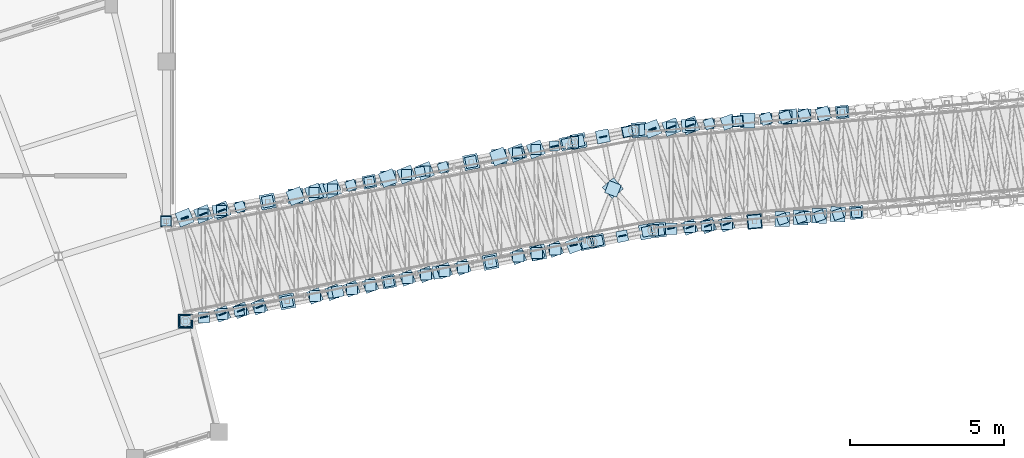
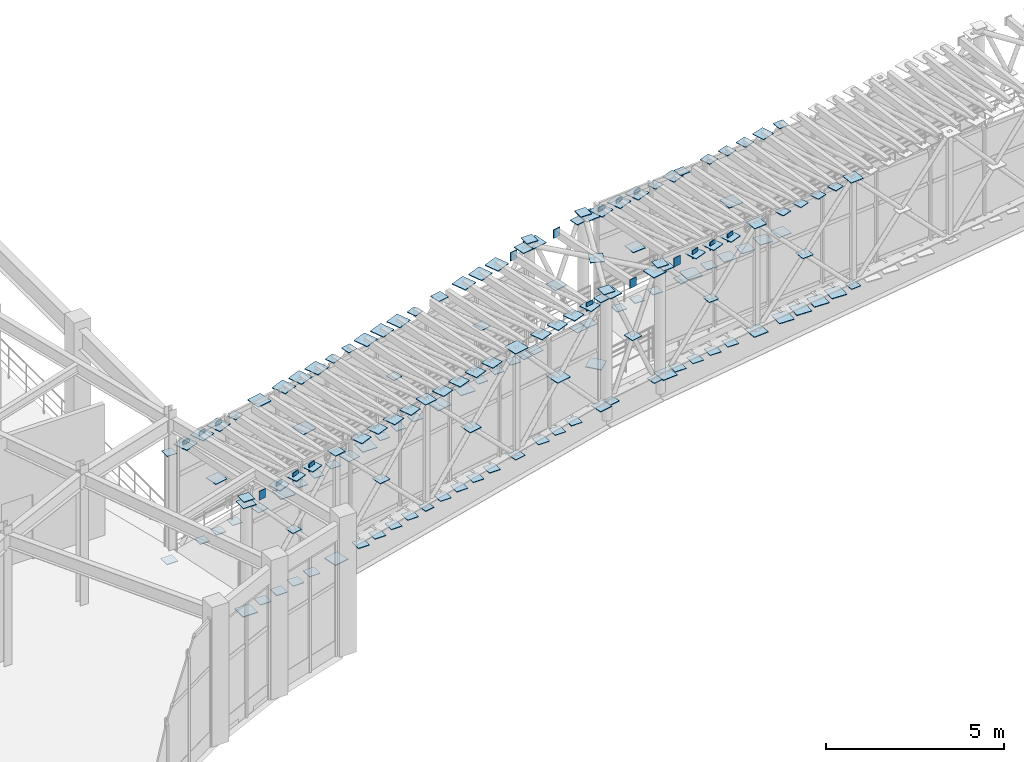
# One storey, part 96 of 144: 173 plates.
"""IFC4 building model written with IfcOpenShell, lengths in metres."""

from ifc_helpers import new_model, si_unit, direction, frame, origin, origin_2d, place, context, subcontext, project, spatial, rectangle, extrude, material, layer, layer_set, type_object, element, save


model = new_model("IFC4")

# Units and contexts
model_context = context("Model", 3, precision=1e-05, world=origin(), true_north=direction((0.0, 1.0)))
body_context = subcontext(model_context, "Body", "Model", "MODEL_VIEW")
ifc_project = project(units=[si_unit("LENGTHUNIT", "METRE"), si_unit("AREAUNIT", "SQUARE_METRE"), si_unit("VOLUMEUNIT", "CUBIC_METRE"), si_unit("PLANEANGLEUNIT", "RADIAN"), si_unit("MASSUNIT", "GRAM", prefix="KILO")], contexts=[model_context])

# Site, building, storey
site_placement = place(None, origin())
site = spatial("IfcSite", under=ifc_project, at=site_placement, CompositionType="ELEMENT")
building_placement = place(site_placement, origin())
building = spatial("IfcBuilding", under=site, at=building_placement, Name="Cinderbank Siding Concert Hall", CompositionType="ELEMENT")
storey_placement = place(building_placement, frame((0.0, 0.0, 5.39990234375)))
storey = spatial("IfcBuildingStorey", under=building, at=storey_placement, Name="L02", CompositionType="ELEMENT", Elevation=5.39990234375)

# Plates
ifc_material = material(Name="Structural steel welded plate section AS/NZS 3679.2 / AS/NZS 3678 Grade 350 (340 MPa)", Category="steel")
ifc_layer_1 = layer(ifc_material, 0.02490234375)
ifc_layer_set_1 = layer_set([ifc_layer_1], Name="Structural steel welded plate section AS/NZS 3679.2 / AS/NZS 3678 Grade 350 (340 MPa)")
plate_type_1 = type_object("IfcPlateType", Name="GP-01 Steel Gusset Cap Plate 480x480x25", PredefinedType="SHEET", material=ifc_layer_set_1)
for number, where, z_axis, x_axis, name in (
    (1, (51.783447265625, 98.7607421875, 3.4775390625), (0.0, 0.0, 1.0), (0.981627183448, 0.190808995377, 0.0), "L02 Steel Node Gusset Plate GP-01 #120"),
    (2, (53.422119140625, 99.079345703125, 1.758544921875), (0.0, 0.0, 1.0), (0.981627183448, 0.190808995377, 0.0), "L02 Steel Node Gusset Plate GP-01 #124"),
    (3, (58.3798828125, 100.04296875, 0.257568359375), (0.0, 0.0, 1.0), (0.981627183448, 0.190808995377, 0.0), "L02 Steel Node Gusset Plate GP-01 #128"),
    (4, (49.114990234375, 94.8798828125, -0.46240234375), (0.0, 0.0, 1.0), (1.0, 0.0, 0.0), "L02 Steel Node Gusset Plate GP-01 #132"),
    (5, (52.413330078125, 95.521240234375, -0.222412109375), (0.0, 0.0, 1.0), (0.981627183448, 0.190808995377, 0.0), "L02 Steel Node Gusset Plate GP-01 #136"),
    (6, (59.009765625, 96.8037109375, 3.957763671875), (0.0, 0.0, 1.0), (0.981627183448, 0.190808995377, 0.0), "L02 Steel Node Gusset Plate GP-01 #140"),
    (7, (60.5556640625, 97.104248046875, 2.23193359375), (0.0, 0.0, 1.0), (0.981627183448, 0.190808995377, 0.0), "L02 Steel Node Gusset Plate GP-01 #144"),
    (8, (49.084716796875, 98.236083984375, 3.251220703125), (0.0, 0.0, 1.0), (0.366338832643, -0.930481520342, 0.0), "L02 Steel Node Gusset Plate GP-01 #148"),
    (9, (49.6845703125, 98.352783203125, 3.294921875), (0.0, 0.0, 1.0), (0.366338832643, -0.930481520342, 0.0), "L02 Steel Node Gusset Plate GP-01 #152"),
    (10, (50.2841796875, 98.469482421875, 3.338623046875), (0.0, 0.0, 1.0), (0.366338832643, -0.930481520342, 0.0), "L02 Steel Node Gusset Plate GP-01 #156"),
    (11, (52.682861328125, 98.935546875, -0.126953125), (0.0, 0.0, 1.0), (-0.009075587519, 0.999958816008, 0.0), "L02 Steel Node Gusset Plate GP-01 #160"),
    (12, (52.682861328125, 98.935546875, 3.51318359375), (0.0, 0.0, 1.0), (0.366338832643, -0.930481520342, 0.0), "L02 Steel Node Gusset Plate GP-01 #164"),
    (13, (53.28271484375, 99.05224609375, 3.556640625), (0.0, 0.0, 1.0), (0.366338832643, -0.930481520342, 0.0), "L02 Steel Node Gusset Plate GP-01 #168"),
    (14, (53.882080078125, 99.168701171875, 3.600341796875), (0.0, 0.0, 1.0), (0.366338832643, -0.930481520342, 0.0), "L02 Steel Node Gusset Plate GP-01 #172"),
    (15, (55.681396484375, 99.518310546875, 0.09130859375), (0.0, 0.0, 1.0), (-0.009075587519, 0.999958816008, 0.0), "L02 Steel Node Gusset Plate GP-01 #176"),
    (16, (55.681396484375, 99.518310546875, 3.731201171875), (0.0, 0.0, 1.0), (0.366338832643, -0.930481520342, 0.0), "L02 Steel Node Gusset Plate GP-01 #180"),
    (17, (56.281005859375, 99.635009765625, 3.77490234375), (0.0, 0.0, 1.0), (0.366338832643, -0.930481520342, 0.0), "L02 Steel Node Gusset Plate GP-01 #184"),
    (18, (56.880615234375, 99.75146484375, 3.818603515625), (0.0, 0.0, 1.0), (0.366338832643, -0.930481520342, 0.0), "L02 Steel Node Gusset Plate GP-01 #188"),
    (19, (59.279296875, 100.2177734375, 0.35302734375), (0.0, 0.0, 1.0), (-0.009075587519, 0.999958816008, 0.0), "L02 Steel Node Gusset Plate GP-01 #192"),
    (20, (59.279296875, 100.2177734375, 3.9931640625), (0.0, 0.0, 1.0), (0.366338832643, -0.930481520342, 0.0), "L02 Steel Node Gusset Plate GP-01 #196"),
    (21, (59.87890625, 100.334228515625, 4.036865234375), (0.0, 0.0, 1.0), (0.366338832643, -0.930481520342, 0.0), "L02 Steel Node Gusset Plate GP-01 #200"),
    (22, (60.478759765625, 100.450927734375, 4.080322265625), (0.0, 0.0, 1.0), (0.366501226724, -0.930417567982, 0.0), "L02 Steel Node Gusset Plate GP-01 #204"),
    (23, (61.864501953125, 100.72021484375, 4.19775390625), (0.0, 0.0, 1.0), (0.981593866045, 0.190980318733, 0.0), "L02 Steel Node Gusset Plate GP-01 #208"),
    (24, (64.08447265625, 97.789794921875, 4.19775390625), (0.0, 0.0, 1.0), (0.981693728546, 0.190466331231, 0.0), "L02 Steel Node Gusset Plate GP-01 #212"),
    (25, (62.977294921875, 99.1962890625, 0.547607421875), (0.0, 0.0, 1.0), (0.657769720534, -0.753219088147, 0.0), "L02 Steel Node Gusset Plate GP-01 #216"),
    (26, (63.831298828125, 101.082763671875, 4.2109375), (0.0, 0.0, 1.0), (0.996133609143, 0.087851196551, 0.0), "L02 Steel Node Gusset Plate GP-01 #220"),
    (27, (68.716064453125, 101.51318359375, 2.71826171875), (0.0, 0.0, 1.0), (0.996133609143, 0.087851196551, 0.0), "L02 Steel Node Gusset Plate GP-01 #224"),
    (28, (64.460205078125, 97.84228515625, 0.51123046875), (0.0, 0.0, 1.0), (0.996255301507, 0.086460246466, 0.0), "L02 Steel Node Gusset Plate GP-01 #232"),
    (29, (67.575439453125, 98.113037109375, 0.737548828125), (0.0, 0.0, 1.0), (0.996255301507, 0.086460246466, 0.0), "L02 Steel Node Gusset Plate GP-01 #236"),
    (30, (64.25830078125, 101.120361328125, 4.211181640625), (0.0, 0.0, 1.0), (0.355759507257, -0.934577537177, 0.0), "L02 Steel Node Gusset Plate GP-01 #248"),
    (31, (64.87451171875, 101.174560546875, 4.2548828125), (0.0, 0.0, 1.0), (0.351514880558, -0.936182294613, 0.0), "L02 Steel Node Gusset Plate GP-01 #252"),
    (32, (65.490966796875, 101.22900390625, 4.298583984375), (0.0, 0.0, 1.0), (0.347426681491, -0.937707150974, 0.0), "L02 Steel Node Gusset Plate GP-01 #256"),
    (33, (67.33984375, 101.391845703125, 0.78955078125), (0.0, 0.0, 1.0), (0.019546442745, 0.999808950038, 0.0), "L02 Steel Node Gusset Plate GP-01 #260"),
    (34, (68.476806640625, 98.19140625, 0.833251953125), (0.0, 0.0, 1.0), (0.028968412487, 0.999580327476, 0.0), "L02 Steel Node Gusset Plate GP-01 #264"),
    (35, (69.077392578125, 98.243408203125, 0.876708984375), (0.0, 0.0, 1.0), (0.033678484729, 0.999432718929, 0.0), "L02 Steel Node Gusset Plate GP-01 #268"),
    (36, (69.678466796875, 98.295654296875, 0.92041015625), (0.0, 0.0, 1.0), (0.038213404224, 0.999269601128, 0.0), "L02 Steel Node Gusset Plate GP-01 #272"),
    (37, (70.279296875, 98.347900390625, 0.964111328125), (0.0, 0.0, 1.0), (0.042921909558, 0.999078430194, 0.0), "L02 Steel Node Gusset Plate GP-01 #276"),
):
    element("IfcPlate", number, at=place(storey_placement, frame(where, z_axis=z_axis, x_axis=x_axis)), inside=storey, type_object=plate_type_1, Name=name, PredefinedType="SHEET", context=body_context, shape_type="SweptSolid", body=[
        extrude(rectangle(XDim=0.47998046875, YDim=0.47998046875, at=origin_2d()), origin(), (0.0, 0.0, 1.0), 0.02490234375),
    ])
ifc_layer_2 = layer(ifc_material, 0.02197265625)
ifc_layer_set_2 = layer_set([ifc_layer_2], Name="Structural steel welded plate section AS/NZS 3679.2 / AS/NZS 3678 Grade 350 (340 MPa)")
plate_type_2 = type_object("IfcPlateType", Name="GP-02 Steel Gusset Cap Plate 420x420x22", PredefinedType="SHEET", material=ifc_layer_set_2)
for number, where, z_axis, x_axis, name in (
    (38, (50.217529296875, 98.456298828125, 1.527099609375), (0.0, 0.0, 1.0), (0.981627183448, 0.190808995377, 0.0), "L02 Steel Node Gusset Plate GP-02 #121"),
    (39, (55.08154296875, 99.40185546875, 0.01904296875), (0.0, 0.0, 1.0), (0.981627183448, 0.190808995377, 0.0), "L02 Steel Node Gusset Plate GP-02 #125"),
    (40, (61.491455078125, 100.647705078125, 4.185546875), (0.0, 0.0, 1.0), (0.981627183448, 0.190808995377, 0.0), "L02 Steel Node Gusset Plate GP-02 #129"),
    (41, (49.114990234375, 94.8798828125, 3.239013671875), (0.0, 0.0, 1.0), (1.0, 0.0, 0.0), "L02 Steel Node Gusset Plate GP-02 #133"),
    (42, (55.71142578125, 96.16259765625, 3.718994140625), (0.0, 0.0, 1.0), (0.981627183448, 0.190808995377, 0.0), "L02 Steel Node Gusset Plate GP-02 #137"),
    (43, (57.350341796875, 96.481201171875, 2.0), (0.0, 0.0, 1.0), (0.981627183448, 0.190808995377, 0.0), "L02 Steel Node Gusset Plate GP-02 #141"),
    (44, (62.12158203125, 97.40869140625, 0.485595703125), (0.0, 0.0, 1.0), (0.981627183448, 0.190808995377, 0.0), "L02 Steel Node Gusset Plate GP-02 #145"),
    (45, (50.314453125, 95.11328125, 3.29638671875), (0.0, 0.0, 1.0), (0.366338832643, -0.930481520342, 0.0), "L02 Steel Node Gusset Plate GP-02 #149"),
    (46, (50.9140625, 95.229736328125, 3.340087890625), (0.0, 0.0, 1.0), (0.366338832643, -0.930481520342, 0.0), "L02 Steel Node Gusset Plate GP-02 #153"),
    (47, (51.513671875, 95.346435546875, 3.383544921875), (0.0, 0.0, 1.0), (0.366338832643, -0.930481520342, 0.0), "L02 Steel Node Gusset Plate GP-02 #157"),
    (48, (53.312744140625, 95.696044921875, 3.5146484375), (0.0, 0.0, 1.0), (0.366338832643, -0.930481520342, 0.0), "L02 Steel Node Gusset Plate GP-02 #161"),
    (49, (53.91259765625, 95.812744140625, 3.55810546875), (0.0, 0.0, 1.0), (0.366338832643, -0.930481520342, 0.0), "L02 Steel Node Gusset Plate GP-02 #165"),
    (50, (54.51220703125, 95.92919921875, 3.601806640625), (0.0, 0.0, 1.0), (0.366338832643, -0.930481520342, 0.0), "L02 Steel Node Gusset Plate GP-02 #169"),
    (51, (55.11181640625, 96.0458984375, 3.6455078125), (0.0, 0.0, 1.0), (0.366338832643, -0.930481520342, 0.0), "L02 Steel Node Gusset Plate GP-02 #173"),
    (52, (56.311279296875, 96.279052734375, 3.732666015625), (0.0, 0.0, 1.0), (0.366338832643, -0.930481520342, 0.0), "L02 Steel Node Gusset Plate GP-02 #177"),
    (53, (56.910888671875, 96.395751953125, 3.7763671875), (0.0, 0.0, 1.0), (0.366338832643, -0.930481520342, 0.0), "L02 Steel Node Gusset Plate GP-02 #181"),
    (54, (57.510498046875, 96.51220703125, 3.820068359375), (0.0, 0.0, 1.0), (0.366338832643, -0.930481520342, 0.0), "L02 Steel Node Gusset Plate GP-02 #185"),
    (55, (58.110107421875, 96.62890625, 3.863525390625), (0.0, 0.0, 1.0), (0.366338832643, -0.930481520342, 0.0), "L02 Steel Node Gusset Plate GP-02 #189"),
    (56, (59.9091796875, 96.978515625, 3.99462890625), (0.0, 0.0, 1.0), (0.366338832643, -0.930481520342, 0.0), "L02 Steel Node Gusset Plate GP-02 #193"),
    (57, (60.509033203125, 97.09521484375, 4.038330078125), (0.0, 0.0, 1.0), (0.366338832643, -0.930481520342, 0.0), "L02 Steel Node Gusset Plate GP-02 #197"),
    (58, (61.108642578125, 97.2119140625, 4.081787109375), (0.0, 0.0, 1.0), (0.366338832643, -0.930481520342, 0.0), "L02 Steel Node Gusset Plate GP-02 #201"),
    (59, (61.708251953125, 97.328369140625, 4.12548828125), (0.0, 0.0, 1.0), (0.366501226724, -0.930417567982, 0.0), "L02 Steel Node Gusset Plate GP-02 #205"),
    (60, (62.654052734375, 100.873779296875, 2.36279296875), (0.0, 0.0, 1.0), (0.981593866045, 0.190980318733, 0.0), "L02 Steel Node Gusset Plate GP-02 #209"),
    (61, (62.494384765625, 97.481201171875, 4.19921875), (0.0, 0.0, 1.0), (0.981693728546, 0.190466331231, 0.0), "L02 Steel Node Gusset Plate GP-02 #213"),
    (62, (62.981689453125, 99.171142578125, 4.19921875), (0.0, 0.0, 1.0), (0.363576429927, 0.931564372227, 0.0), "L02 Steel Node Gusset Plate GP-02 #217"),
    (63, (65.42138671875, 101.222900390625, 2.48681640625), (0.0, 0.0, 1.0), (0.996133609143, 0.087851196551, 0.0), "L02 Steel Node Gusset Plate GP-02 #221"),
    (64, (70.42138671875, 101.66357421875, 0.97900390625), (0.0, 0.0, 1.0), (0.996133609143, 0.087851196551, 0.0), "L02 Steel Node Gusset Plate GP-02 #225"),
    (65, (67.575439453125, 98.113037109375, 4.439208984375), (0.0, 0.0, 1.0), (0.996255301507, 0.086460246466, 0.0), "L02 Steel Node Gusset Plate GP-02 #233"),
    (66, (70.8798828125, 98.39990234375, 4.67919921875), (0.0, 0.0, 1.0), (0.996255301507, 0.086460246466, 0.0), "L02 Steel Node Gusset Plate GP-02 #237"),
    (67, (65.47265625, 97.930419921875, 4.25634765625), (0.0, 0.0, 1.0), (0.355759507257, -0.934577537177, 0.0), "L02 Steel Node Gusset Plate GP-02 #249"),
    (68, (66.073486328125, 97.982421875, 4.300048828125), (0.0, 0.0, 1.0), (0.351514880558, -0.936182294613, 0.0), "L02 Steel Node Gusset Plate GP-02 #253"),
    (69, (66.67431640625, 98.03466796875, 4.343505859375), (0.0, 0.0, 1.0), (0.347426681491, -0.937707150974, 0.0), "L02 Steel Node Gusset Plate GP-02 #257"),
    (70, (66.7236328125, 101.337646484375, 4.38720703125), (0.0, 0.0, 1.0), (0.338902129758, -0.940821633704, 0.0), "L02 Steel Node Gusset Plate GP-02 #261"),
    (71, (68.572509765625, 101.50048828125, 0.878173828125), (0.0, 0.0, 1.0), (0.028968412487, 0.999580327476, 0.0), "L02 Steel Node Gusset Plate GP-02 #265"),
    (72, (69.18896484375, 101.554931640625, 0.921875), (0.0, 0.0, 1.0), (0.033678484729, 0.999432718929, 0.0), "L02 Steel Node Gusset Plate GP-02 #269"),
    (73, (69.80517578125, 101.609130859375, 0.965576171875), (0.0, 0.0, 1.0), (0.038213404224, 0.999269601128, 0.0), "L02 Steel Node Gusset Plate GP-02 #273"),
    (74, (69.80517578125, 101.609130859375, 4.60546875), (0.0, 0.0, 1.0), (0.31763566447, -0.948212837214, 0.0), "L02 Steel Node Gusset Plate GP-02 #277"),
):
    element("IfcPlate", number, at=place(storey_placement, frame(where, z_axis=z_axis, x_axis=x_axis)), inside=storey, type_object=plate_type_2, Name=name, PredefinedType="SHEET", context=body_context, shape_type="SweptSolid", body=[
        extrude(rectangle(XDim=0.419921875, YDim=0.419921875, at=origin_2d()), origin(), (0.0, 0.0, 1.0), 0.02197265625),
    ])
ifc_layer_3 = layer(ifc_material, 0.02001953125)
ifc_layer_set_3 = layer_set([ifc_layer_3], Name="Structural steel welded plate section AS/NZS 3679.2 / AS/NZS 3678 Grade 350 (340 MPa)")
plate_type_3 = type_object("IfcPlateType", Name="GP-03 Steel Gusset Cap Plate 360x360x20", PredefinedType="SHEET", material=ifc_layer_set_3)
for number, where, z_axis, x_axis, name in (
    (75, (49.114990234375, 94.8798828125, 3.43017578125), (0.0, 0.0, 1.0), (1.0, 0.0, 0.0), "L02 Column End Cap Plate GP-03 COL-BRR-00-L02"),
    (76, (61.677978515625, 100.68408203125, 4.39013671875), (0.0, 0.0, 1.0), (1.0, 0.0, 0.0), "L02 Column End Cap Plate GP-03 COL-BRL-01-L02"),
    (77, (62.30810546875, 97.445068359375, 4.39013671875), (0.0, 0.0, 1.0), (1.0, 0.0, 0.0), "L02 Column End Cap Plate GP-03 COL-BRR-01-L02"),
    (78, (63.64208984375, 101.06591796875, 4.39013671875), (0.0, 0.0, 1.0), (1.0, 0.0, 0.0), "L02 Column End Cap Plate GP-03 COL-BRL-02-L02"),
    (79, (64.27099609375, 97.825927734375, 4.39013671875), (0.0, 0.0, 1.0), (1.0, 0.0, 0.0), "L02 Column End Cap Plate GP-03 COL-BRR-02-L02"),
    (80, (48.485107421875, 98.11962890625, -0.4599609375), (0.0, 0.0, 1.0), (1.0, 0.0, 0.0), "L02 Steel Node Gusset Plate GP-03 #118"),
    (81, (51.783447265625, 98.7607421875, -0.219970703125), (0.0, 0.0, 1.0), (0.981627183448, 0.190808995377, 0.0), "L02 Steel Node Gusset Plate GP-03 #122"),
    (82, (58.3798828125, 100.04296875, 3.960205078125), (0.0, 0.0, 1.0), (0.981627183448, 0.190808995377, 0.0), "L02 Steel Node Gusset Plate GP-03 #126"),
    (83, (59.92578125, 100.343505859375, 2.234375), (0.0, 0.0, 1.0), (0.981627183448, 0.190808995377, 0.0), "L02 Steel Node Gusset Plate GP-03 #130"),
    (84, (52.413330078125, 95.521240234375, 3.47998046875), (0.0, 0.0, 1.0), (0.981627183448, 0.190808995377, 0.0), "L02 Steel Node Gusset Plate GP-03 #134"),
    (85, (54.052001953125, 95.83984375, 1.760986328125), (0.0, 0.0, 1.0), (0.981627183448, 0.190808995377, 0.0), "L02 Steel Node Gusset Plate GP-03 #138"),
    (86, (59.009765625, 96.8037109375, 0.260009765625), (0.0, 0.0, 1.0), (0.981627183448, 0.190808995377, 0.0), "L02 Steel Node Gusset Plate GP-03 #142"),
    (87, (49.714599609375, 94.99658203125, -0.38623046875), (0.0, 0.0, 1.0), (-0.009075587519, 0.999958816008, 0.0), "L02 Steel Node Gusset Plate GP-03 #146"),
    (88, (50.314453125, 95.11328125, -0.342529296875), (0.0, 0.0, 1.0), (-0.009075587519, 0.999958816008, 0.0), "L02 Steel Node Gusset Plate GP-03 #150"),
    (89, (50.9140625, 95.229736328125, -0.299072265625), (0.0, 0.0, 1.0), (-0.009075587519, 0.999958816008, 0.0), "L02 Steel Node Gusset Plate GP-03 #154"),
    (90, (51.513671875, 95.346435546875, -0.25537109375), (0.0, 0.0, 1.0), (-0.009075587519, 0.999958816008, 0.0), "L02 Steel Node Gusset Plate GP-03 #158"),
    (91, (53.312744140625, 95.696044921875, -0.12451171875), (0.0, 0.0, 1.0), (-0.009075587519, 0.999958816008, 0.0), "L02 Steel Node Gusset Plate GP-03 #162"),
    (92, (53.91259765625, 95.812744140625, -0.080810546875), (0.0, 0.0, 1.0), (-0.009075587519, 0.999958816008, 0.0), "L02 Steel Node Gusset Plate GP-03 #166"),
    (93, (54.51220703125, 95.92919921875, -0.037109375), (0.0, 0.0, 1.0), (-0.009075587519, 0.999958816008, 0.0), "L02 Steel Node Gusset Plate GP-03 #170"),
    (94, (55.11181640625, 96.0458984375, 0.006591796875), (0.0, 0.0, 1.0), (-0.009075587519, 0.999958816008, 0.0), "L02 Steel Node Gusset Plate GP-03 #174"),
    (95, (56.311279296875, 96.279052734375, 0.09375), (0.0, 0.0, 1.0), (-0.009075587519, 0.999958816008, 0.0), "L02 Steel Node Gusset Plate GP-03 #178"),
    (96, (56.910888671875, 96.395751953125, 0.137451171875), (0.0, 0.0, 1.0), (-0.009075587519, 0.999958816008, 0.0), "L02 Steel Node Gusset Plate GP-03 #182"),
    (97, (57.510498046875, 96.51220703125, 0.180908203125), (0.0, 0.0, 1.0), (-0.009075587519, 0.999958816008, 0.0), "L02 Steel Node Gusset Plate GP-03 #186"),
    (98, (58.110107421875, 96.62890625, 0.224609375), (0.0, 0.0, 1.0), (-0.009075587519, 0.999958816008, 0.0), "L02 Steel Node Gusset Plate GP-03 #190"),
    (99, (59.9091796875, 96.978515625, 0.35546875), (0.0, 0.0, 1.0), (-0.009075587519, 0.999958816008, 0.0), "L02 Steel Node Gusset Plate GP-03 #194"),
    (100, (60.509033203125, 97.09521484375, 0.399169921875), (0.0, 0.0, 1.0), (-0.009075587519, 0.999958816008, 0.0), "L02 Steel Node Gusset Plate GP-03 #198"),
    (101, (61.108642578125, 97.2119140625, 0.44287109375), (0.0, 0.0, 1.0), (-0.009075587519, 0.999958816008, 0.0), "L02 Steel Node Gusset Plate GP-03 #202"),
    (102, (61.864501953125, 100.72021484375, 0.5), (0.0, 0.0, 1.0), (0.981593866045, 0.190980318733, 0.0), "L02 Steel Node Gusset Plate GP-03 #206"),
    (103, (63.45556640625, 101.02978515625, 0.5), (0.0, 0.0, 1.0), (0.981593866045, 0.190980318733, 0.0), "L02 Steel Node Gusset Plate GP-03 #210"),
    (104, (63.28369140625, 97.634521484375, 2.36376953125), (0.0, 0.0, 1.0), (0.981693728546, 0.190466331231, 0.0), "L02 Steel Node Gusset Plate GP-03 #214"),
    (105, (63.831298828125, 101.082763671875, 0.513427734375), (0.0, 0.0, 1.0), (0.996133609143, 0.087851196551, 0.0), "L02 Steel Node Gusset Plate GP-03 #218"),
    (106, (67.03173828125, 101.36474609375, 0.739990234375), (0.0, 0.0, 1.0), (0.996133609143, 0.087851196551, 0.0), "L02 Steel Node Gusset Plate GP-03 #222"),
    (107, (64.460205078125, 97.84228515625, 4.2138671875), (0.0, 0.0, 1.0), (0.996255301507, 0.086460246466, 0.0), "L02 Steel Node Gusset Plate GP-03 #234"),
    (108, (69.21728515625, 98.255615234375, 2.720947265625), (0.0, 0.0, 1.0), (0.996255301507, 0.086460246466, 0.0), "L02 Steel Node Gusset Plate GP-03 #238"),
    (109, (64.871826171875, 97.878173828125, 0.57373046875), (0.0, 0.0, 1.0), (0.000872664515, 0.999999619228, 0.0), "L02 Steel Node Gusset Plate GP-03 #246"),
    (110, (65.47265625, 97.930419921875, 0.617431640625), (0.0, 0.0, 1.0), (0.005585024571, 0.999984403629, 0.0), "L02 Steel Node Gusset Plate GP-03 #250"),
    (111, (66.073486328125, 97.982421875, 0.660888671875), (0.0, 0.0, 1.0), (0.010297260602, 0.999946981807, 0.0), "L02 Steel Node Gusset Plate GP-03 #254"),
    (112, (66.67431640625, 98.03466796875, 0.70458984375), (0.0, 0.0, 1.0), (0.015009267967, 0.999887354593, 0.0), "L02 Steel Node Gusset Plate GP-03 #258"),
    (113, (67.956298828125, 101.4462890625, 0.835693359375), (0.0, 0.0, 1.0), (0.024257696956, 0.999705738774, 0.0), "L02 Steel Node Gusset Plate GP-03 #262"),
    (114, (67.956298828125, 101.4462890625, 4.4755859375), (0.0, 0.0, 1.0), (0.330514392713, -0.943800951583, 0.0), "L02 Steel Node Gusset Plate GP-03 #266"),
    (115, (68.572509765625, 101.50048828125, 4.519287109375), (0.0, 0.0, 1.0), (0.326228171556, -0.945291055751, 0.0), "L02 Steel Node Gusset Plate GP-03 #270"),
    (116, (69.18896484375, 101.554931640625, 4.562744140625), (0.0, 0.0, 1.0), (0.321935232675, -0.946761694389, 0.0), "L02 Steel Node Gusset Plate GP-03 #274"),
):
    element("IfcPlate", number, at=place(storey_placement, frame(where, z_axis=z_axis, x_axis=x_axis)), inside=storey, type_object=plate_type_3, Name=name, PredefinedType="SHEET", context=body_context, shape_type="SweptSolid", body=[
        extrude(rectangle(XDim=0.360107421875, YDim=0.360107421875, at=origin_2d()), origin(), (0.0, 0.0, 1.0), 0.02001953125),
    ])
ifc_layer_4 = layer(ifc_material, 0.02099609375)
ifc_layer_set_4 = layer_set([ifc_layer_4], Name="Structural steel welded plate section AS/NZS 3679.2 / AS/NZS 3678 Grade 350 (340 MPa)")
plate_type_4 = type_object("IfcPlateType", Name="GP-04 Steel Gusset Cap Plate 320x320x21", PredefinedType="SHEET", material=ifc_layer_set_4)
for number, where, z_axis, x_axis, name in (
    (117, (48.485107421875, 98.11962890625, 3.239501953125), (0.0, 0.0, 1.0), (1.0, 0.0, 0.0), "L02 Steel Node Gusset Plate GP-04 #119"),
    (118, (55.08154296875, 99.40185546875, 3.719482421875), (0.0, 0.0, 1.0), (0.981627183448, 0.190808995377, 0.0), "L02 Steel Node Gusset Plate GP-04 #123"),
    (119, (56.720458984375, 99.720458984375, 2.00048828125), (0.0, 0.0, 1.0), (0.981627183448, 0.190808995377, 0.0), "L02 Steel Node Gusset Plate GP-04 #127"),
    (120, (61.491455078125, 100.647705078125, 0.486083984375), (0.0, 0.0, 1.0), (0.981627183448, 0.190808995377, 0.0), "L02 Steel Node Gusset Plate GP-04 #131"),
    (121, (50.847412109375, 95.216796875, 1.527587890625), (0.0, 0.0, 1.0), (0.981627183448, 0.190808995377, 0.0), "L02 Steel Node Gusset Plate GP-04 #135"),
    (122, (55.71142578125, 96.16259765625, 0.01953125), (0.0, 0.0, 1.0), (0.981627183448, 0.190808995377, 0.0), "L02 Steel Node Gusset Plate GP-04 #139"),
    (123, (62.12158203125, 97.40869140625, 4.18603515625), (0.0, 0.0, 1.0), (0.981627183448, 0.190808995377, 0.0), "L02 Steel Node Gusset Plate GP-04 #143"),
    (124, (49.6845703125, 98.352783203125, -0.343017578125), (0.0, 0.0, 1.0), (-0.009075587519, 0.999958816008, 0.0), "L02 Steel Node Gusset Plate GP-04 #147"),
    (125, (50.2841796875, 98.469482421875, -0.299560546875), (0.0, 0.0, 1.0), (-0.009075587519, 0.999958816008, 0.0), "L02 Steel Node Gusset Plate GP-04 #151"),
    (126, (50.8837890625, 98.5859375, -0.255859375), (0.0, 0.0, 1.0), (-0.009075587519, 0.999958816008, 0.0), "L02 Steel Node Gusset Plate GP-04 #155"),
    (127, (50.8837890625, 98.5859375, 3.384033203125), (0.0, 0.0, 1.0), (0.366338832643, -0.930481520342, 0.0), "L02 Steel Node Gusset Plate GP-04 #159"),
    (128, (53.28271484375, 99.05224609375, -0.081298828125), (0.0, 0.0, 1.0), (-0.009075587519, 0.999958816008, 0.0), "L02 Steel Node Gusset Plate GP-04 #163"),
    (129, (53.882080078125, 99.168701171875, -0.03759765625), (0.0, 0.0, 1.0), (-0.009075587519, 0.999958816008, 0.0), "L02 Steel Node Gusset Plate GP-04 #167"),
    (130, (54.48193359375, 99.285400390625, 0.006103515625), (0.0, 0.0, 1.0), (-0.009075587519, 0.999958816008, 0.0), "L02 Steel Node Gusset Plate GP-04 #171"),
    (131, (54.48193359375, 99.285400390625, 3.64599609375), (0.0, 0.0, 1.0), (0.366338832643, -0.930481520342, 0.0), "L02 Steel Node Gusset Plate GP-04 #175"),
    (132, (56.281005859375, 99.635009765625, 0.136962890625), (0.0, 0.0, 1.0), (-0.009075587519, 0.999958816008, 0.0), "L02 Steel Node Gusset Plate GP-04 #179"),
    (133, (56.880615234375, 99.75146484375, 0.180419921875), (0.0, 0.0, 1.0), (-0.009075587519, 0.999958816008, 0.0), "L02 Steel Node Gusset Plate GP-04 #183"),
    (134, (57.480224609375, 99.8681640625, 0.22412109375), (0.0, 0.0, 1.0), (-0.009075587519, 0.999958816008, 0.0), "L02 Steel Node Gusset Plate GP-04 #187"),
    (135, (57.480224609375, 99.8681640625, 3.864013671875), (0.0, 0.0, 1.0), (0.366338832643, -0.930481520342, 0.0), "L02 Steel Node Gusset Plate GP-04 #191"),
    (136, (59.87890625, 100.334228515625, 0.398681640625), (0.0, 0.0, 1.0), (-0.009075587519, 0.999958816008, 0.0), "L02 Steel Node Gusset Plate GP-04 #195"),
    (137, (60.478759765625, 100.450927734375, 0.4423828125), (0.0, 0.0, 1.0), (-0.009075587519, 0.999958816008, 0.0), "L02 Steel Node Gusset Plate GP-04 #199"),
    (138, (61.078369140625, 100.5673828125, 0.486083984375), (0.0, 0.0, 1.0), (-0.009075587519, 0.999958816008, 0.0), "L02 Steel Node Gusset Plate GP-04 #203"),
    (139, (63.45556640625, 101.02978515625, 4.19970703125), (0.0, 0.0, 1.0), (0.981593866045, 0.190980318733, 0.0), "L02 Steel Node Gusset Plate GP-04 #207"),
    (140, (62.494384765625, 97.481201171875, 0.49951171875), (0.0, 0.0, 1.0), (0.981693728546, 0.190466331231, 0.0), "L02 Steel Node Gusset Plate GP-04 #211"),
    (141, (64.08447265625, 97.789794921875, 0.49951171875), (0.0, 0.0, 1.0), (0.981693728546, 0.190466331231, 0.0), "L02 Steel Node Gusset Plate GP-04 #215"),
    (142, (67.03173828125, 101.36474609375, 4.439697265625), (0.0, 0.0, 1.0), (0.996133609143, 0.087851196551, 0.0), "L02 Steel Node Gusset Plate GP-04 #219"),
    (143, (70.42138671875, 101.66357421875, 4.6796875), (0.0, 0.0, 1.0), (0.996133609143, 0.087851196551, 0.0), "L02 Steel Node Gusset Plate GP-04 #223"),
    (144, (66.0078125, 97.976806640625, 2.487548828125), (0.0, 0.0, 1.0), (0.996255301507, 0.086460246466, 0.0), "L02 Steel Node Gusset Plate GP-04 #235"),
    (145, (70.8798828125, 98.39990234375, 0.9794921875), (0.0, 0.0, 1.0), (0.996255301507, 0.086460246466, 0.0), "L02 Steel Node Gusset Plate GP-04 #239"),
    (146, (64.87451171875, 101.174560546875, 0.616943359375), (0.0, 0.0, 1.0), (0.000872664515, 0.999999619228, 0.0), "L02 Steel Node Gusset Plate GP-04 #247"),
    (147, (65.490966796875, 101.22900390625, 0.660400390625), (0.0, 0.0, 1.0), (0.005585024571, 0.999984403629, 0.0), "L02 Steel Node Gusset Plate GP-04 #251"),
    (148, (66.107421875, 101.283203125, 0.7041015625), (0.0, 0.0, 1.0), (0.010297260602, 0.999946981807, 0.0), "L02 Steel Node Gusset Plate GP-04 #255"),
    (149, (66.107421875, 101.283203125, 4.343994140625), (0.0, 0.0, 1.0), (0.343167938899, -0.939274063153, 0.0), "L02 Steel Node Gusset Plate GP-04 #259"),
    (150, (68.476806640625, 98.19140625, 4.47509765625), (0.0, 0.0, 1.0), (0.334629341909, -0.94234983076, 0.0), "L02 Steel Node Gusset Plate GP-04 #263"),
    (151, (69.077392578125, 98.243408203125, 4.518798828125), (0.0, 0.0, 1.0), (0.330514392713, -0.943800951583, 0.0), "L02 Steel Node Gusset Plate GP-04 #267"),
    (152, (69.678466796875, 98.295654296875, 4.562255859375), (0.0, 0.0, 1.0), (0.326228171556, -0.945291055751, 0.0), "L02 Steel Node Gusset Plate GP-04 #271"),
    (153, (70.279296875, 98.347900390625, 4.60595703125), (0.0, 0.0, 1.0), (0.321935232675, -0.946761694389, 0.0), "L02 Steel Node Gusset Plate GP-04 #275"),
):
    element("IfcPlate", number, at=place(storey_placement, frame(where, z_axis=z_axis, x_axis=x_axis)), inside=storey, type_object=plate_type_4, Name=name, PredefinedType="SHEET", context=body_context, shape_type="SweptSolid", body=[
        extrude(rectangle(XDim=0.320068359375, YDim=0.320068359375, at=origin_2d()), origin(), (0.0, 0.0, 1.0), 0.02099609375),
    ])
plate_type_5 = type_object("IfcPlateType", Name="GP-09 Steel Gusset Cap Plate 20x220x280", PredefinedType="SHEET", material=ifc_material)
for number, where, z_axis, x_axis, name in (
    (154, (49.7119140625, 95.01123046875, 3.11376953125), (0.0, 0.0, 1.0), (-0.190808995377, 0.981627183448, 0.0), "L02 Bridge Purlin End Cap Plate GP-09 #6"),
    (155, (49.087646484375, 98.221435546875, 3.11376953125), (0.0, 0.0, 1.0), (-0.190808995377, 0.981627183448, 0.0), "L02 Bridge Purlin End Cap Plate GP-09 #7"),
):
    element("IfcPlate", number, at=place(storey_placement, frame(where, z_axis=z_axis, x_axis=x_axis)), inside=storey, type_object=plate_type_5, Name=name, PredefinedType="SHEET", context=body_context, shape_type="SweptSolid", body=[
        extrude(rectangle(XDim=0.02001953125, YDim=0.239990234375, at=origin_2d()), origin(), (0.0, 0.0, 1.0), 0.300048828125),
    ])
for number, where, z_axis, x_axis, name in (
    (156, (49.084716796875, 98.236083984375, 3.12353515625), (0.0, 0.0, 1.0), (0.366338832643, -0.930481520342, 0.0), "L02 Bridge Roof Brace Cap Plate GP-09 #8"),
    (157, (50.314453125, 95.11328125, 3.16748046875), (0.0, 0.0, 1.0), (0.366338832643, -0.930481520342, 0.0), "L02 Bridge Roof Brace Cap Plate GP-09 #9"),
    (158, (49.6845703125, 98.352783203125, 3.16748046875), (0.0, 0.0, 1.0), (0.366338832643, -0.930481520342, 0.0), "L02 Bridge Roof Brace Cap Plate GP-09 #10"),
    (159, (50.9140625, 95.229736328125, 3.2109375), (0.0, 0.0, 1.0), (0.366338832643, -0.930481520342, 0.0), "L02 Bridge Roof Brace Cap Plate GP-09 #11"),
    (160, (50.2841796875, 98.469482421875, 3.2109375), (0.0, 0.0, 1.0), (0.366338832643, -0.930481520342, 0.0), "L02 Bridge Roof Brace Cap Plate GP-09 #12"),
    (161, (51.513671875, 95.346435546875, 3.25439453125), (0.0, 0.0, 1.0), (0.366338832643, -0.930481520342, 0.0), "L02 Bridge Roof Brace Cap Plate GP-09 #13"),
):
    element("IfcPlate", number, at=place(storey_placement, frame(where, z_axis=z_axis, x_axis=x_axis)), inside=storey, type_object=plate_type_5, Name=name, PredefinedType="SHEET", context=body_context, shape_type="SweptSolid", body=[
        extrude(rectangle(XDim=0.02392578125, YDim=0.239990234375, at=origin_2d()), origin(), (0.0, 0.0, 1.0), 0.280029296875),
    ])
for number, where, z_axis, x_axis, name in (
    (162, (61.70556640625, 97.343017578125, 3.986328125), (0.0, 0.0, 1.0), (-0.190980318733, 0.981593866045, 0.0), "L02 Bridge Purlin End Cap Plate GP-09 #14"),
    (163, (61.081298828125, 100.552734375, 3.986328125), (0.0, 0.0, 1.0), (-0.190980318733, 0.981593866045, 0.0), "L02 Bridge Purlin End Cap Plate GP-09 #15"),
    (164, (63.28662109375, 97.650146484375, 4.0302734375), (0.0, 0.0, 1.0), (-0.190808995377, 0.981627183448, 0.0), "L02 Bridge Purlin End Cap Plate GP-09 #16"),
    (165, (62.662841796875, 100.8603515625, 4.0302734375), (0.0, 0.0, 1.0), (-0.190808995377, 0.981627183448, 0.0), "L02 Bridge Purlin End Cap Plate GP-09 #17"),
    (166, (64.868896484375, 97.892822265625, 4.07373046875), (0.0, 0.0, 1.0), (-0.186009600639, 0.982547926806, 0.0), "L02 Bridge Purlin End Cap Plate GP-09 #18"),
    (167, (64.260986328125, 101.105712890625, 4.07373046875), (0.0, 0.0, 1.0), (-0.186009600639, 0.982547926806, 0.0), "L02 Bridge Purlin End Cap Plate GP-09 #19"),
):
    element("IfcPlate", number, at=place(storey_placement, frame(where, z_axis=z_axis, x_axis=x_axis)), inside=storey, type_object=plate_type_5, Name=name, PredefinedType="SHEET", context=body_context, shape_type="SweptSolid", body=[
        extrude(rectangle(XDim=0.02001953125, YDim=0.239990234375, at=origin_2d()), origin(), (0.0, 0.0, 1.0), 0.300048828125),
    ])
for number, where, z_axis, x_axis, name in (
    (168, (64.25830078125, 101.120361328125, 4.08349609375), (0.0, 0.0, 1.0), (0.355759507257, -0.934577537177, 0.0), "L02 Bridge Roof Brace Cap Plate GP-09 #20"),
    (169, (65.47265625, 97.930419921875, 4.12744140625), (0.0, 0.0, 1.0), (0.355759507257, -0.934577537177, 0.0), "L02 Bridge Roof Brace Cap Plate GP-09 #21"),
    (170, (64.87451171875, 101.174560546875, 4.12744140625), (0.0, 0.0, 1.0), (0.351514880558, -0.936182294613, 0.0), "L02 Bridge Roof Brace Cap Plate GP-09 #22"),
    (171, (66.073486328125, 97.982421875, 4.1708984375), (0.0, 0.0, 1.0), (0.351514880558, -0.936182294613, 0.0), "L02 Bridge Roof Brace Cap Plate GP-09 #23"),
    (172, (65.490966796875, 101.22900390625, 4.1708984375), (0.0, 0.0, 1.0), (0.347426681491, -0.937707150974, 0.0), "L02 Bridge Roof Brace Cap Plate GP-09 #24"),
    (173, (66.67431640625, 98.03466796875, 4.21435546875), (0.0, 0.0, 1.0), (0.347426681491, -0.937707150974, 0.0), "L02 Bridge Roof Brace Cap Plate GP-09 #25"),
):
    element("IfcPlate", number, at=place(storey_placement, frame(where, z_axis=z_axis, x_axis=x_axis)), inside=storey, type_object=plate_type_5, Name=name, PredefinedType="SHEET", context=body_context, shape_type="SweptSolid", body=[
        extrude(rectangle(XDim=0.02392578125, YDim=0.239990234375, at=origin_2d()), origin(), (0.0, 0.0, 1.0), 0.280029296875),
    ])

save(model, "model.ifc")
